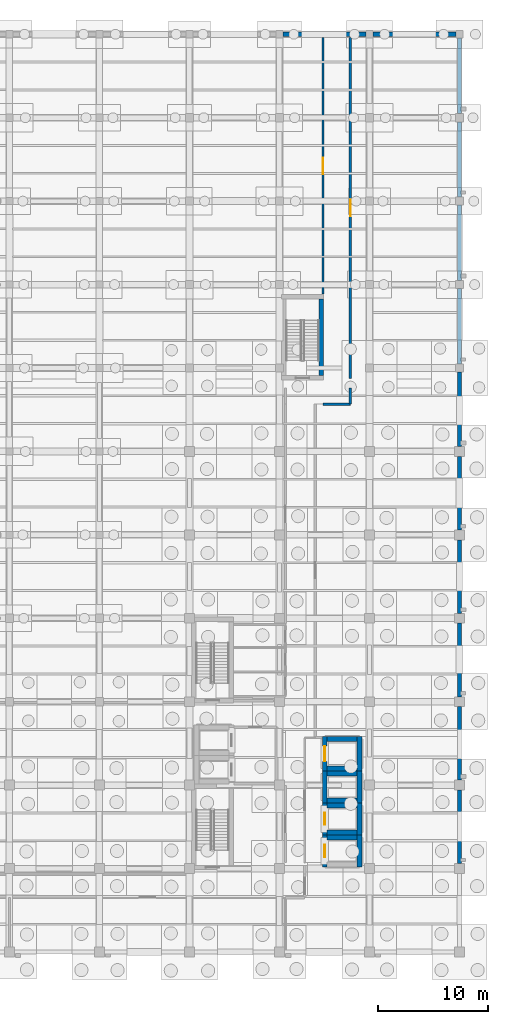
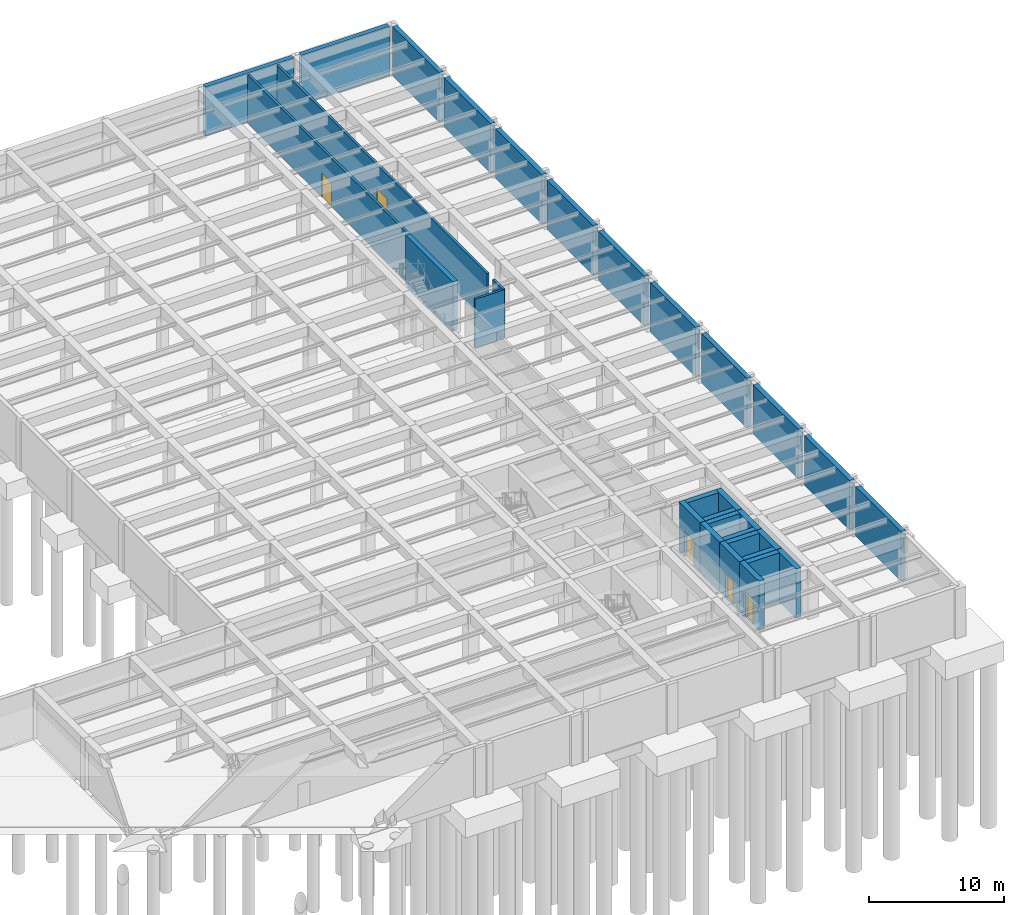
# One storey, part 21 of 29: 32 walls, 5 doors, 5 openings.
"""IFC4 building model written with IfcOpenShell, lengths in metres."""

from ifc_helpers import new_model, si_unit, direction, frame, frame_2d, origin, place, context, subcontext, project, spatial, rectangle, extrude, material, layer, layer_set, type_object, element, fill, save


model = new_model("IFC4")

# Units and contexts
model_context = context("Model", 3, precision=1e-05, world=origin(), true_north=direction((0.0, 1.0)))
body_context = subcontext(model_context, "Body", "Model", "MODEL_VIEW")
ifc_project = project(units=[si_unit("LENGTHUNIT", "METRE"), si_unit("AREAUNIT", "SQUARE_METRE"), si_unit("VOLUMEUNIT", "CUBIC_METRE"), si_unit("PLANEANGLEUNIT", "RADIAN"), si_unit("MASSUNIT", "GRAM", prefix="KILO")], contexts=[model_context])

# Site, building, storey
site_placement = place(None, origin())
site = spatial("IfcSite", under=ifc_project, at=site_placement, CompositionType="ELEMENT")
building_placement = place(site_placement, origin())
building = spatial("IfcBuilding", under=site, at=building_placement, Name="Qandaris Square Conservatory and Botanical Centre", CompositionType="ELEMENT")
storey_placement = place(building_placement, frame((0.0, 0.0, -4.800048828125)))
storey = spatial("IfcBuildingStorey", under=building, at=storey_placement, Name="B1", CompositionType="ELEMENT", Elevation=-4.800048828125)

# Walls
ifc_material_1 = material(Name="Concrete C50/60", Category="concrete")
ifc_layer_1 = layer(ifc_material_1, 0.39990234375)
ifc_layer_set_1 = layer_set([ifc_layer_1], Name="Concrete C50/60")
wall_type_1 = type_object("IfcWallType", Name="Basement Waterproof RC Retaining Wall 400mm", PredefinedType="SOLIDWALL", material=ifc_layer_set_1)
wall_1_placement = place(storey_placement, frame((147.72509765625, 100.199951171875, 0.0), z_axis=(0.0, 0.0, 1.0), x_axis=(1.0, 0.0, 0.0)))
element("IfcWall", 1, at=wall_1_placement, inside=storey, type_object=wall_type_1, Name="Basement Retaining Wall 023", PredefinedType="SOLIDWALL", context=body_context, shape_type="SweptSolid", body=[
    extrude(rectangle(XDim=7.5498046875, YDim=0.39990234375, at=frame_2d((3.77490234375, 0.0))), origin(), (0.0, 0.0, 1.0), 4.4599609375),
])
wall_2_placement = place(storey_placement, frame((155.925048828125, 100.199951171875, 0.0), z_axis=(0.0, 0.0, 1.0), x_axis=(1.0, 0.0, 0.0)))
element("IfcWall", 2, at=wall_2_placement, inside=storey, type_object=wall_type_1, Name="Basement Retaining Wall 024", PredefinedType="SOLIDWALL", context=body_context, shape_type="SweptSolid", body=[
    extrude(rectangle(XDim=7.550048828125, YDim=0.39990234375, at=frame_2d((3.77490234375, 0.0))), origin(), (0.0, 0.0, 1.0), 4.4599609375),
])
wall_3_placement = place(storey_placement, frame((163.800048828125, 24.64990234375, 0.0), z_axis=(0.0, 0.0, 1.0), x_axis=(0.0, 1.0, 0.0)))
element("IfcWall", 3, at=wall_3_placement, inside=storey, type_object=wall_type_1, Name="Basement Retaining Wall 026", PredefinedType="SOLIDWALL", context=body_context, shape_type="SweptSolid", body=[
    extrude(rectangle(XDim=6.7001953125, YDim=0.39990234375, at=frame_2d((3.35009765625, 0.0))), origin(), (0.0, 0.0, 1.0), 4.4599609375),
])
for number, where, z_axis, x_axis, name in (
    (4, (163.800048828125, 32.25, 0.0), (0.0, 0.0, 1.0), (0.0, 1.0, 0.0), "Basement Retaining Wall 027"),
    (5, (163.800048828125, 39.85009765625, 0.0), (0.0, 0.0, 1.0), (0.0, 1.0, 0.0), "Basement Retaining Wall 028"),
    (6, (163.800048828125, 47.449951171875, 0.0), (0.0, 0.0, 1.0), (0.0, 1.0, 0.0), "Basement Retaining Wall 029"),
    (7, (163.800048828125, 55.050048828125, 0.0), (0.0, 0.0, 1.0), (0.0, 1.0, 0.0), "Basement Retaining Wall 030"),
):
    element("IfcWall", number, at=place(storey_placement, frame(where, z_axis=z_axis, x_axis=x_axis)), inside=storey, type_object=wall_type_1, Name=name, PredefinedType="SOLIDWALL", context=body_context, shape_type="SweptSolid", body=[
        extrude(rectangle(XDim=6.699951171875, YDim=0.39990234375, at=frame_2d((3.35009765625, 0.0))), origin(), (0.0, 0.0, 1.0), 4.4599609375),
    ])
wall_4_placement = place(storey_placement, frame((163.800048828125, 62.64990234375, 0.0), z_axis=(0.0, 0.0, 1.0), x_axis=(0.0, 1.0, 0.0)))
element("IfcWall", 8, at=wall_4_placement, inside=storey, type_object=wall_type_1, Name="Basement Retaining Wall 031", PredefinedType="SOLIDWALL", context=body_context, shape_type="SweptSolid", body=[
    extrude(rectangle(XDim=6.775146484375, YDim=0.39990234375, at=frame_2d((3.3876953125, 0.0))), origin(), (0.0, 0.0, 1.0), 4.4599609375),
])
wall_5_placement = place(storey_placement, frame((163.800048828125, 70.175048828125, 0.0), z_axis=(0.0, 0.0, 1.0), x_axis=(0.0, 1.0, 0.0)))
element("IfcWall", 9, at=wall_5_placement, inside=storey, type_object=wall_type_1, Name="Basement Retaining Wall 032", PredefinedType="SOLIDWALL", context=body_context, shape_type="SweptSolid", body=[
    extrude(rectangle(XDim=6.849853515625, YDim=0.39990234375, at=frame_2d((3.4248046875, 0.0))), origin(), (0.0, 0.0, 1.0), 4.4599609375),
])
for number, where, z_axis, x_axis, name in (
    (10, (163.800048828125, 77.77490234375, 0.0), (0.0, 0.0, 1.0), (0.0, 1.0, 0.0), "Basement Retaining Wall 033"),
    (11, (163.800048828125, 85.375, 0.0), (0.0, 0.0, 1.0), (0.0, 1.0, 0.0), "Basement Retaining Wall 034"),
):
    element("IfcWall", number, at=place(storey_placement, frame(where, z_axis=z_axis, x_axis=x_axis)), inside=storey, type_object=wall_type_1, Name=name, PredefinedType="SOLIDWALL", context=body_context, shape_type="SweptSolid", body=[
        extrude(rectangle(XDim=6.85009765625, YDim=0.39990234375, at=frame_2d((3.425048828125, 0.0))), origin(), (0.0, 0.0, 1.0), 4.4599609375),
    ])
wall_6_placement = place(storey_placement, frame((163.800048828125, 92.97509765625, 0.0), z_axis=(0.0, 0.0, 1.0), x_axis=(0.0, 1.0, 0.0)))
element("IfcWall", 12, at=wall_6_placement, inside=storey, type_object=wall_type_1, Name="Basement Retaining Wall 035", PredefinedType="SOLIDWALL", context=body_context, shape_type="SweptSolid", body=[
    extrude(rectangle(XDim=6.89990234375, YDim=0.39990234375, at=frame_2d((3.449951171875, 0.0))), origin(), (0.0, 0.0, 1.0), 4.4599609375),
])
ifc_material_2 = material(Name="Concrete C40/50", Category="concrete")
ifc_layer_2 = layer(ifc_material_2, 0.199951171875)
ifc_layer_set_2 = layer_set([ifc_layer_2], Name="Concrete C40/50")
wall_type_2 = type_object("IfcWallType", Name="Herbarium & Plant Compartment Wall 200mm", PredefinedType="PARTITIONING", material=ifc_layer_set_2)
wall_7_placement = place(storey_placement, frame((153.85009765625, 68.0, 0.0), z_axis=(0.0, 0.0, 1.0), x_axis=(0.0, -1.0, 0.0)))
element("IfcWall", 13, at=wall_7_placement, inside=storey, type_object=wall_type_2, Name="Interior Partition IW-B1-0016", PredefinedType="PARTITIONING", context=body_context, shape_type="SweptSolid", body=[
    extrude(rectangle(XDim=1.5, YDim=0.199951171875, at=frame_2d((0.75, 0.0))), origin(), (0.0, 0.0, 1.0), 4.405029296875),
])
wall_8_placement = place(storey_placement, frame((153.85009765625, 66.5, 0.0), z_axis=(0.0, 0.0, 1.0), x_axis=(-1.0, 0.0, 0.0)))
element("IfcWall", 14, at=wall_8_placement, inside=storey, type_object=wall_type_2, Name="Interior Partition IW-B1-0017", PredefinedType="PARTITIONING", context=body_context, shape_type="SweptSolid", body=[
    extrude(rectangle(XDim=2.5, YDim=0.199951171875, at=frame_2d((1.25, 0.0))), origin(), (0.0, 0.0, 1.0), 4.405029296875),
])

# Wall, opening, door
wall_9_placement = place(storey_placement, frame((151.35009765625, 76.530029296875, 0.0), z_axis=(0.0, 0.0, 1.0), x_axis=(0.0, 1.0, 0.0)))
wall_9 = element("IfcWall", 15, at=wall_9_placement, inside=storey, type_object=wall_type_2, Name="Interior Partition IW-B1-0019", PredefinedType="PARTITIONING", context=body_context, shape_type="SweptSolid", body=[
    extrude(rectangle(XDim=23.369873046875, YDim=0.199951171875, at=frame_2d((11.68505859375, 0.0))), origin(), (0.0, 0.0, 1.0), 4.405029296875),
])
opening_1_placement = place(wall_9_placement, frame((10.93505859375, 0.0, 0.0)))
opening_1 = element("IfcOpeningElement", 16, at=opening_1_placement, cuts=wall_9, Name="Opening D-PLT1", PredefinedType="OPENING", context=body_context, shape_type="SweptSolid", body=[
    extrude(rectangle(XDim=1.5, YDim=2.199951171875, at=frame_2d((0.75, 1.10009765625))), frame((0.0, 0.11181640625, 0.0), z_axis=(0.0, -1.0, 0.0), x_axis=(1.0, 0.0, 0.0)), (0.0, 0.0, 1.0), 0.223876953125),
])
ifc_material_3 = material(Name="Steel S355", Category="steel")
door_type_1 = type_object("IfcDoorType", Name="Plant & Riser Double Fire Door 1500x2200", OperationType="DOUBLE_DOOR_SINGLE_SWING", PredefinedType="DOOR", material=ifc_material_3)
door_1_placement = place(opening_1_placement, frame((1.5, 0.0, 0.0), z_axis=(0.0, 0.0, 1.0), x_axis=(-1.0, 0.0, 0.0)))
door_1 = element("IfcDoor", 17, at=door_1_placement, inside=storey, type_object=door_type_1, Name="DR-0010 Emergency Standby Generator and LV Switchroom Door", OperationType="DOUBLE_DOOR_SINGLE_SWING", OverallHeight=2.199951171875, OverallWidth=1.5, PredefinedType="DOOR", context=body_context, shape_type="SweptSolid", body=[
    extrude(rectangle(XDim=1.5, YDim=2.199951171875, at=frame_2d((0.75, 1.10009765625))), frame((0.0, 0.02490234375, 0.0), z_axis=(0.0, -1.0, 0.0), x_axis=(1.0, 0.0, 0.0)), (0.0, 0.0, 1.0), 0.050048828125),
])
fill(opening_1, door_1)

wall_10_placement = place(storey_placement, frame((153.85009765625, 99.89990234375, 0.0), z_axis=(0.0, 0.0, 1.0), x_axis=(0.0, -1.0, 0.0)))
wall_10 = element("IfcWall", 18, at=wall_10_placement, inside=storey, type_object=wall_type_2, Name="Interior Partition IW-B1-0020", PredefinedType="PARTITIONING", context=body_context, shape_type="SweptSolid", body=[
    extrude(rectangle(XDim=31.0498046875, YDim=0.199951171875, at=frame_2d((15.52490234375, 0.0))), origin(), (0.0, 0.0, 1.0), 4.405029296875),
])
opening_2_placement = place(wall_10_placement, frame((14.77490234375, 0.0, 0.0)))
opening_2 = element("IfcOpeningElement", 19, at=opening_2_placement, cuts=wall_10, Name="Opening D-PLT1", PredefinedType="OPENING", context=body_context, shape_type="SweptSolid", body=[
    extrude(rectangle(XDim=1.5, YDim=2.199951171875, at=frame_2d((0.75, 1.10009765625))), frame((0.0, 0.11181640625, 0.0), z_axis=(0.0, -1.0, 0.0), x_axis=(1.0, 0.0, 0.0)), (0.0, 0.0, 1.0), 0.223876953125),
])
door_2_placement = place(opening_2_placement, origin())
door_2 = element("IfcDoor", 20, at=door_2_placement, inside=storey, type_object=door_type_1, Name="DR-0011 Sprinkler Tank and Fire Pump Room Door", OperationType="DOUBLE_DOOR_SINGLE_SWING", OverallHeight=2.199951171875, OverallWidth=1.5, PredefinedType="DOOR", context=body_context, shape_type="SweptSolid", body=[
    extrude(rectangle(XDim=1.5, YDim=2.199951171875, at=frame_2d((0.75, 1.10009765625))), frame((0.0, 0.02490234375, 0.0), z_axis=(0.0, -1.0, 0.0), x_axis=(1.0, 0.0, 0.0)), (0.0, 0.0, 1.0), 0.050048828125),
])
fill(opening_2, door_2)

# Wall
ifc_layer_3 = layer(ifc_material_1, 0.449951171875)
ifc_layer_set_3 = layer_set([ifc_layer_3], Name="Concrete C50/60")
wall_type_3 = type_object("IfcWallType", Name="RC Coupled Core Shear Wall 450mm", PredefinedType="SHEAR", material=ifc_layer_set_3)
wall_11_placement = place(storey_placement, frame((151.75, 27.02490234375, 0.0), z_axis=(0.0, 0.0, 1.0), x_axis=(1.0, 0.0, 0.0)))
element("IfcWall", 21, at=wall_11_placement, inside=storey, type_object=wall_type_3, Name="Lift PL1 Shaft Wall North (B1)", PredefinedType="SHEAR", context=body_context, shape_type="SweptSolid", body=[
    extrude(rectangle(XDim=2.699951171875, YDim=0.449951171875, at=frame_2d((1.35009765625, 0.0))), origin(), (0.0, 0.0, 1.0), 4.4599609375),
])

# Wall, opening, door
wall_12_placement = place(storey_placement, frame((151.52490234375, 24.35009765625, 0.0), z_axis=(0.0, 0.0, 1.0), x_axis=(0.0, 1.0, 0.0)))
wall_12 = element("IfcWall", 22, at=wall_12_placement, inside=storey, type_object=wall_type_3, Name="Lift PL1 Shaft Wall West (B1)", PredefinedType="SHEAR", context=body_context, shape_type="SweptSolid", body=[
    extrude(rectangle(XDim=2.89990234375, YDim=0.449951171875, at=frame_2d((1.449951171875, 0.0))), origin(), (0.0, 0.0, 1.0), 4.4599609375),
])
opening_3_placement = place(wall_12_placement, frame((0.89990234375, 0.0, 0.0)))
opening_3 = element("IfcOpeningElement", 23, at=opening_3_placement, cuts=wall_12, Name="Opening LD-PAX", PredefinedType="OPENING", context=body_context, shape_type="SweptSolid", body=[
    extrude(rectangle(XDim=1.10009765625, YDim=2.199951171875, at=frame_2d((0.550048828125, 1.10009765625))), frame((0.0, 0.23681640625, 0.0), z_axis=(0.0, -1.0, 0.0), x_axis=(1.0, 0.0, 0.0)), (0.0, 0.0, 1.0), 0.473876953125),
])
ifc_material_4 = material(Name="Anodised Aluminium", Category="aluminium")
door_type_2 = type_object("IfcDoorType", Name="Passenger Lift Sliding Landing Door 1100x2200", OperationType="DOUBLE_DOOR_SLIDING", PredefinedType="DOOR", material=ifc_material_4)
door_3_placement = place(opening_3_placement, origin())
door_3 = element("IfcDoor", 24, at=door_3_placement, inside=storey, type_object=door_type_2, Name="DR-0030 Lift PL1 Landing Door (B1)", OperationType="DOUBLE_DOOR_SLIDING", OverallHeight=2.199951171875, OverallWidth=1.10009765625, PredefinedType="DOOR", context=body_context, shape_type="SweptSolid", body=[
    extrude(rectangle(XDim=1.10009765625, YDim=2.199951171875, at=frame_2d((0.550048828125, 1.10009765625))), frame((0.0, 0.02490234375, 0.0), z_axis=(0.0, -1.0, 0.0), x_axis=(1.0, 0.0, 0.0)), (0.0, 0.0, 1.0), 0.050048828125),
])
fill(opening_3, door_3)

# Walls
wall_13_placement = place(storey_placement, frame((154.675048828125, 24.35009765625, 0.0), z_axis=(0.0, 0.0, 1.0), x_axis=(0.0, 1.0, 0.0)))
element("IfcWall", 25, at=wall_13_placement, inside=storey, type_object=wall_type_3, Name="Lift PL1 Shaft Wall East (B1)", PredefinedType="SHEAR", context=body_context, shape_type="SweptSolid", body=[
    extrude(rectangle(XDim=2.89990234375, YDim=0.449951171875, at=frame_2d((1.449951171875, 0.0))), origin(), (0.0, 0.0, 1.0), 4.4599609375),
])
for number, where, z_axis, x_axis, name in (
    (26, (151.75, 27.4951171875, 0.0), (0.0, 0.0, 1.0), (1.0, 0.0, 0.0), "Lift PL2 Shaft Wall South (B1)"),
    (27, (151.75, 29.945068359375, 0.0), (0.0, 0.0, 1.0), (1.0, 0.0, 0.0), "Lift PL2 Shaft Wall North (B1)"),
):
    element("IfcWall", number, at=place(storey_placement, frame(where, z_axis=z_axis, x_axis=x_axis)), inside=storey, type_object=wall_type_3, Name=name, PredefinedType="SHEAR", context=body_context, shape_type="SweptSolid", body=[
        extrude(rectangle(XDim=2.699951171875, YDim=0.449951171875, at=frame_2d((1.35009765625, 0.0))), origin(), (0.0, 0.0, 1.0), 4.4599609375),
    ])

# Wall, opening, door
wall_14_placement = place(storey_placement, frame((151.52490234375, 27.27001953125, 0.0), z_axis=(0.0, 0.0, 1.0), x_axis=(0.0, 1.0, 0.0)))
wall_14 = element("IfcWall", 28, at=wall_14_placement, inside=storey, type_object=wall_type_3, Name="Lift PL2 Shaft Wall West (B1)", PredefinedType="SHEAR", context=body_context, shape_type="SweptSolid", body=[
    extrude(rectangle(XDim=2.89990234375, YDim=0.449951171875, at=frame_2d((1.449951171875, 0.0))), origin(), (0.0, 0.0, 1.0), 4.4599609375),
])
opening_4_placement = place(wall_14_placement, frame((0.89990234375, 0.0, 0.0)))
opening_4 = element("IfcOpeningElement", 29, at=opening_4_placement, cuts=wall_14, Name="Opening LD-PAX", PredefinedType="OPENING", context=body_context, shape_type="SweptSolid", body=[
    extrude(rectangle(XDim=1.10009765625, YDim=2.199951171875, at=frame_2d((0.550048828125, 1.10009765625))), frame((0.0, 0.23681640625, 0.0), z_axis=(0.0, -1.0, 0.0), x_axis=(1.0, 0.0, 0.0)), (0.0, 0.0, 1.0), 0.473876953125),
])
door_4_placement = place(opening_4_placement, origin())
door_4 = element("IfcDoor", 30, at=door_4_placement, inside=storey, type_object=door_type_2, Name="DR-0031 Lift PL2 Landing Door (B1)", OperationType="DOUBLE_DOOR_SLIDING", OverallHeight=2.199951171875, OverallWidth=1.10009765625, PredefinedType="DOOR", context=body_context, shape_type="SweptSolid", body=[
    extrude(rectangle(XDim=1.10009765625, YDim=2.199951171875, at=frame_2d((0.550048828125, 1.10009765625))), frame((0.0, 0.02490234375, 0.0), z_axis=(0.0, -1.0, 0.0), x_axis=(1.0, 0.0, 0.0)), (0.0, 0.0, 1.0), 0.050048828125),
])
fill(opening_4, door_4)

# Walls
wall_15_placement = place(storey_placement, frame((154.675048828125, 27.27001953125, 0.0), z_axis=(0.0, 0.0, 1.0), x_axis=(0.0, 1.0, 0.0)))
element("IfcWall", 31, at=wall_15_placement, inside=storey, type_object=wall_type_3, Name="Lift PL2 Shaft Wall East (B1)", PredefinedType="SHEAR", context=body_context, shape_type="SweptSolid", body=[
    extrude(rectangle(XDim=2.89990234375, YDim=0.449951171875, at=frame_2d((1.449951171875, 0.0))), origin(), (0.0, 0.0, 1.0), 4.4599609375),
])
for number, where, z_axis, x_axis, name in (
    (32, (151.75, 30.4150390625, 0.0), (0.0, 0.0, 1.0), (1.0, 0.0, 0.0), "Lift PL3 Shaft Wall South (B1)"),
    (33, (151.75, 32.864990234375, 0.0), (0.0, 0.0, 1.0), (1.0, 0.0, 0.0), "Lift PL3 Shaft Wall North (B1)"),
):
    element("IfcWall", number, at=place(storey_placement, frame(where, z_axis=z_axis, x_axis=x_axis)), inside=storey, type_object=wall_type_3, Name=name, PredefinedType="SHEAR", context=body_context, shape_type="SweptSolid", body=[
        extrude(rectangle(XDim=2.699951171875, YDim=0.449951171875, at=frame_2d((1.35009765625, 0.0))), origin(), (0.0, 0.0, 1.0), 4.4599609375),
    ])
for number, where, z_axis, x_axis, name in (
    (34, (151.52490234375, 30.18994140625, 0.0), (0.0, 0.0, 1.0), (0.0, 1.0, 0.0), "Lift PL3 Shaft Wall West (B1)"),
    (35, (154.675048828125, 30.18994140625, 0.0), (0.0, 0.0, 1.0), (0.0, 1.0, 0.0), "Lift PL3 Shaft Wall East (B1)"),
):
    element("IfcWall", number, at=place(storey_placement, frame(where, z_axis=z_axis, x_axis=x_axis)), inside=storey, type_object=wall_type_3, Name=name, PredefinedType="SHEAR", context=body_context, shape_type="SweptSolid", body=[
        extrude(rectangle(XDim=2.900146484375, YDim=0.449951171875, at=frame_2d((1.4501953125, 0.0))), origin(), (0.0, 0.0, 1.0), 4.4599609375),
    ])
for number, where, z_axis, x_axis, name in (
    (36, (151.75, 33.3349609375, 0.0), (0.0, 0.0, 1.0), (1.0, 0.0, 0.0), "Lift GL1 Shaft Wall South (B1)"),
    (37, (151.75, 35.985107421875, 0.0), (0.0, 0.0, 1.0), (1.0, 0.0, 0.0), "Lift GL1 Shaft Wall North (B1)"),
):
    element("IfcWall", number, at=place(storey_placement, frame(where, z_axis=z_axis, x_axis=x_axis)), inside=storey, type_object=wall_type_3, Name=name, PredefinedType="SHEAR", context=body_context, shape_type="SweptSolid", body=[
        extrude(rectangle(XDim=2.699951171875, YDim=0.449951171875, at=frame_2d((1.35009765625, 0.0))), origin(), (0.0, 0.0, 1.0), 4.4599609375),
    ])

# Wall, opening, door
wall_16_placement = place(storey_placement, frame((151.52490234375, 33.110107421875, 0.0), z_axis=(0.0, 0.0, 1.0), x_axis=(0.0, 1.0, 0.0)))
wall_16 = element("IfcWall", 38, at=wall_16_placement, inside=storey, type_object=wall_type_3, Name="Lift GL1 Shaft Wall West (B1)", PredefinedType="SHEAR", context=body_context, shape_type="SweptSolid", body=[
    extrude(rectangle(XDim=3.099853515625, YDim=0.449951171875, at=frame_2d((1.5498046875, 0.0))), origin(), (0.0, 0.0, 1.0), 4.4599609375),
])
opening_5_placement = place(wall_16_placement, frame((0.85009765625, 0.0, 0.0)))
opening_5 = element("IfcOpeningElement", 39, at=opening_5_placement, cuts=wall_16, Name="Opening LD-GDS", PredefinedType="OPENING", context=body_context, shape_type="SweptSolid", body=[
    extrude(rectangle(XDim=1.39990234375, YDim=2.300048828125, at=frame_2d((0.699951171875, 1.14990234375))), frame((0.0, 0.23681640625, 0.0), z_axis=(0.0, -1.0, 0.0), x_axis=(1.0, 0.0, 0.0)), (0.0, 0.0, 1.0), 0.473876953125),
])
door_type_3 = type_object("IfcDoorType", Name="Goods & Herbarium Lift Sliding Landing Door 1400x2300", OperationType="DOUBLE_DOOR_SLIDING", PredefinedType="DOOR", material=ifc_material_3)
door_5_placement = place(opening_5_placement, origin())
door_5 = element("IfcDoor", 40, at=door_5_placement, inside=storey, type_object=door_type_3, Name="DR-0028 Lift GL1 Landing Door (B1)", OperationType="DOUBLE_DOOR_SLIDING", OverallHeight=2.300048828125, OverallWidth=1.39990234375, PredefinedType="DOOR", context=body_context, shape_type="SweptSolid", body=[
    extrude(rectangle(XDim=1.39990234375, YDim=2.300048828125, at=frame_2d((0.699951171875, 1.14990234375))), frame((0.0, 0.02490234375, 0.0), z_axis=(0.0, -1.0, 0.0), x_axis=(1.0, 0.0, 0.0)), (0.0, 0.0, 1.0), 0.050048828125),
])
fill(opening_5, door_5)

# Walls
wall_17_placement = place(storey_placement, frame((154.675048828125, 33.110107421875, 0.0), z_axis=(0.0, 0.0, 1.0), x_axis=(0.0, 1.0, 0.0)))
element("IfcWall", 41, at=wall_17_placement, inside=storey, type_object=wall_type_3, Name="Lift GL1 Shaft Wall East (B1)", PredefinedType="SHEAR", context=body_context, shape_type="SweptSolid", body=[
    extrude(rectangle(XDim=3.099853515625, YDim=0.449951171875, at=frame_2d((1.5498046875, 0.0))), origin(), (0.0, 0.0, 1.0), 4.4599609375),
])
ifc_layer_4 = layer(ifc_material_1, 0.39990234375)
ifc_layer_set_4 = layer_set([ifc_layer_4], Name="Concrete C50/60")
wall_type_4 = type_object("IfcWallType", Name="RC Stair Core Shear Wall 400mm", PredefinedType="SHEAR", material=ifc_layer_set_4)
wall_18_placement = place(storey_placement, frame((151.199951171875, 69.10009765625, 0.0), z_axis=(0.0, 0.0, 1.0), x_axis=(0.0, 1.0, 0.0)))
element("IfcWall", 42, at=wall_18_placement, inside=storey, type_object=wall_type_4, Name="ST-3 Core Shear Wall East (B1)", PredefinedType="SHEAR", context=body_context, shape_type="SweptSolid", body=[
    extrude(rectangle(XDim=7.0, YDim=0.39990234375, at=frame_2d((3.5, 0.0))), origin(), (0.0, 0.0, 1.0), 4.4599609375),
])

save(model, "model.ifc")
